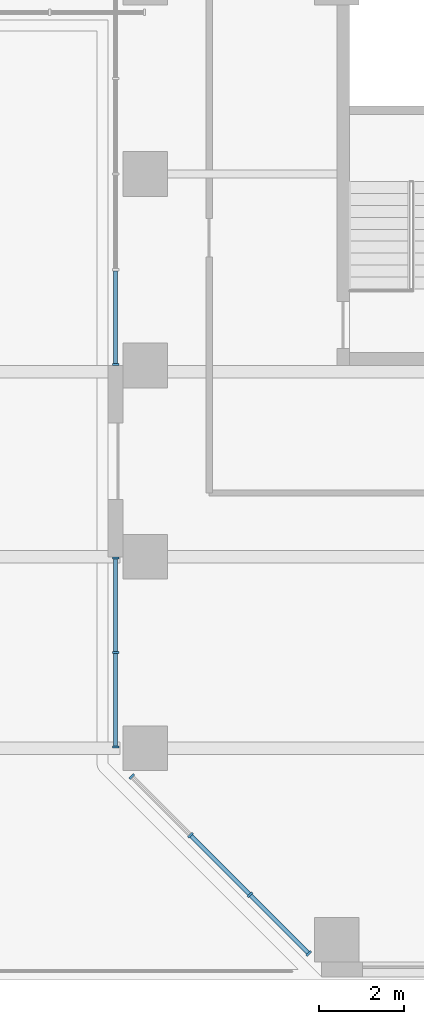
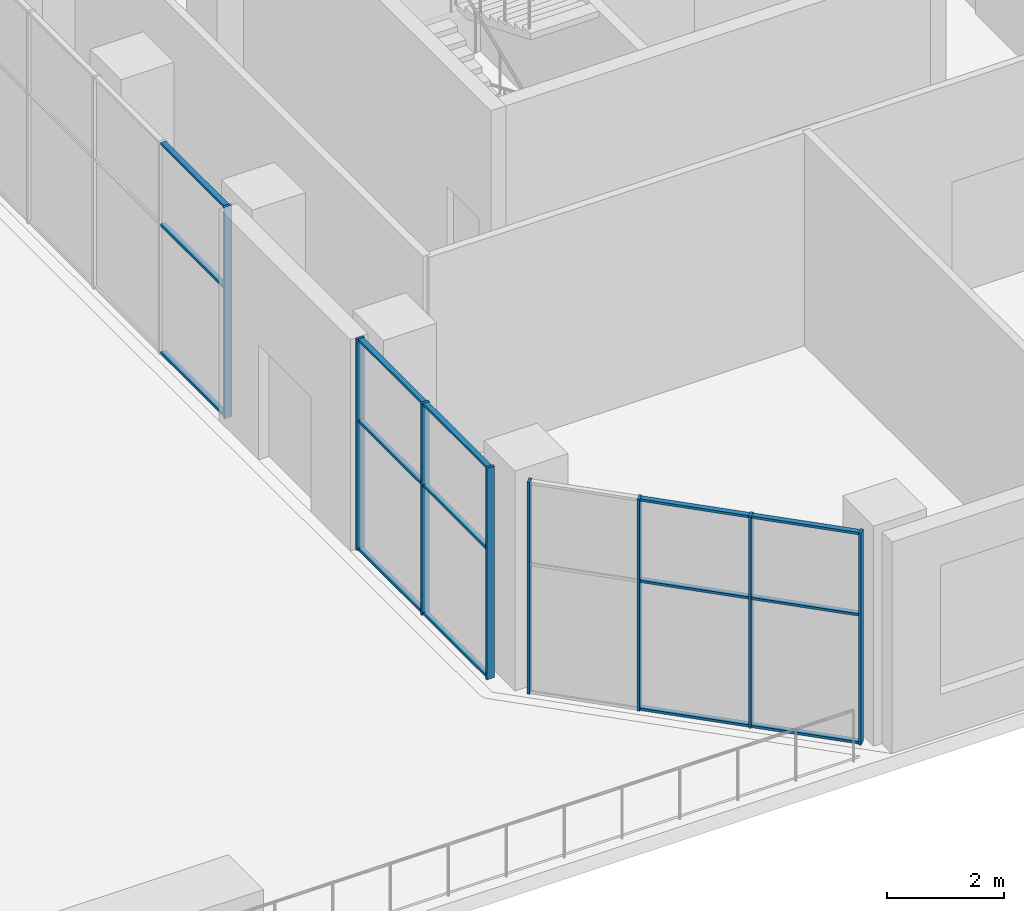
# One storey, part 2 of 14: 23 members, 3 elements without a shape of their own.
"""IFC4 building model written with IfcOpenShell, lengths in metres."""

from ifc_helpers import new_model, si_unit, direction, frame, origin, origin_2d, place, context, subcontext, project, spatial, rectangle, extrude, material, constituent, constituent_set, material_profile, profile_set, type_object, element, aggregate, save


model = new_model("IFC4")

# Units and contexts
model_context = context("Model", 3, precision=1e-05, world=origin(), true_north=direction((0.0, 1.0)))
body_context = subcontext(model_context, "Body", "Model", "MODEL_VIEW")
ifc_project = project(units=[si_unit("LENGTHUNIT", "METRE"), si_unit("AREAUNIT", "SQUARE_METRE"), si_unit("VOLUMEUNIT", "CUBIC_METRE"), si_unit("PLANEANGLEUNIT", "RADIAN"), si_unit("MASSUNIT", "GRAM", prefix="KILO")], contexts=[model_context])

# Site, building, storey
site_placement = place(None, origin())
site = spatial("IfcSite", under=ifc_project, at=site_placement, CompositionType="ELEMENT")
building_placement = place(site_placement, origin())
building = spatial("IfcBuilding", under=site, at=building_placement, Name="Quoin Convention Tower", CompositionType="ELEMENT")
storey_placement = place(building_placement, frame((0.0, 0.0, 74.300048828125)))
storey = spatial("IfcBuildingStorey", under=building, at=storey_placement, Name="L19", CompositionType="ELEMENT", Elevation=74.300048828125)

# Curtain wall, member
ifc_material_1 = material(Name="Aluminium", Category="aluminium")
ifc_constituent_1 = constituent(ifc_material_1, Name="Frame")
ifc_material_2 = material(Name="Insulated glass", Category="glass")
ifc_constituent_2 = constituent(ifc_material_2, Name="Glazing")
ifc_constituent_set = constituent_set(constituents=[ifc_constituent_1, ifc_constituent_2], Name="Aluminium")
curtain_wall_type = type_object("IfcCurtainWallType", Name="Sky lobby glazing system", PredefinedType="NOTDEFINED", material=ifc_constituent_set)
curtain_wall_1_placement = place(storey_placement, origin())
curtain_wall_1 = element("IfcCurtainWall", 1, at=curtain_wall_1_placement, inside=storey, type_object=curtain_wall_type, Name="cw-SKY-L19-35300_40500", PredefinedType="NOTDEFINED")
ifc_material_profile_1 = material_profile(ifc_material_1, rectangle(XDim=0.14990234375, YDim=0.050048828125, at=origin_2d()), Name="Sky lobby glazing mullion 50x150")
ifc_profile_set_1 = profile_set([ifc_material_profile_1], Name="Aluminium")
member_type_1 = type_object("IfcMemberType", Name="Sky lobby glazing mullion 50x150", PredefinedType="MULLION", material=ifc_profile_set_1)
member_1_placement = place(storey_placement, frame((35.300048828125, 31.52490234375, 0.0), z_axis=(0.0, 0.0, 1.0), x_axis=(1.0, 0.0, 0.0)))
member_1 = element("IfcMember", 2, at=member_1_placement, type_object=member_type_1, Name="CW3 mullion 5", PredefinedType="MULLION", context=body_context, shape_type="SweptSolid", body=[
    extrude(rectangle(XDim=0.14990234375, YDim=0.050048828125, at=origin_2d()), origin(), (0.0, 0.0, 1.0), 4.425048828125),
])

# Curtain wall, members
curtain_wall_2_placement = place(storey_placement, origin())
curtain_wall_2 = element("IfcCurtainWall", 3, at=curtain_wall_2_placement, inside=storey, type_object=curtain_wall_type, Name="cw-SKY-L19-35300_27000", PredefinedType="NOTDEFINED")
member_2_placement = place(storey_placement, frame((35.300048828125, 26.97509765625, 0.0), z_axis=(0.0, 0.0, 1.0), x_axis=(1.0, 0.0, 0.0)))
member_2 = element("IfcMember", 4, at=member_2_placement, type_object=member_type_1, Name="CW3 mullion 1", PredefinedType="MULLION", context=body_context, shape_type="SweptSolid", body=[
    extrude(rectangle(XDim=0.14990234375, YDim=0.050048828125, at=origin_2d()), origin(), (0.0, 0.0, 1.0), 4.425048828125),
])
member_3_placement = place(storey_placement, frame((35.300048828125, 24.75, 0.0), z_axis=(0.0, 0.0, 1.0), x_axis=(1.0, 0.0, 0.0)))
member_3 = element("IfcMember", 5, at=member_3_placement, type_object=member_type_1, Name="CW3 mullion 2", PredefinedType="MULLION", context=body_context, shape_type="SweptSolid", body=[
    extrude(rectangle(XDim=0.14990234375, YDim=0.050048828125, at=origin_2d()), origin(), (0.0, 0.0, 1.0), 4.425048828125),
])
member_4_placement = place(storey_placement, frame((35.300048828125, 22.52490234375, 0.0), z_axis=(0.0, 0.0, 1.0), x_axis=(1.0, 0.0, 0.0)))
member_4 = element("IfcMember", 6, at=member_4_placement, type_object=member_type_1, Name="CW3 mullion 3", PredefinedType="MULLION", context=body_context, shape_type="SweptSolid", body=[
    extrude(rectangle(XDim=0.14990234375, YDim=0.050048828125, at=origin_2d()), origin(), (0.0, 0.0, 1.0), 4.425048828125),
])

curtain_wall_3_placement = place(storey_placement, origin())
curtain_wall_3 = element("IfcCurtainWall", 7, at=curtain_wall_3_placement, inside=storey, type_object=curtain_wall_type, Name="cw-SKY-L19-35505_22005", PredefinedType="NOTDEFINED")
member_5_placement = place(storey_placement, frame((35.67822265625, 21.831787109375, 0.0), z_axis=(0.0, 0.0, 1.0), x_axis=(0.707115210816, 0.707098351457, 0.0)))
member_5 = element("IfcMember", 8, at=member_5_placement, type_object=member_type_1, Name="CW3 mullion 1", PredefinedType="MULLION", context=body_context, shape_type="SweptSolid", body=[
    extrude(rectangle(XDim=0.14990234375, YDim=0.050048828125, at=origin_2d()), origin(), (0.0, 0.0, 1.0), 4.425048828125),
])
member_6_placement = place(storey_placement, frame((37.05859375, 20.451416015625, 0.0), z_axis=(0.0, 0.0, 1.0), x_axis=(0.707115210816, 0.707098351457, 0.0)))
member_6 = element("IfcMember", 9, at=member_6_placement, type_object=member_type_1, Name="CW3 mullion 2", PredefinedType="MULLION", context=body_context, shape_type="SweptSolid", body=[
    extrude(rectangle(XDim=0.14990234375, YDim=0.050048828125, at=origin_2d()), origin(), (0.0, 0.0, 1.0), 4.425048828125),
])
member_7_placement = place(storey_placement, frame((38.456787109375, 19.053466796875, 0.0), z_axis=(0.0, 0.0, 1.0), x_axis=(0.707115210816, 0.707098351457, 0.0)))
member_7 = element("IfcMember", 10, at=member_7_placement, type_object=member_type_1, Name="CW3 mullion 3", PredefinedType="MULLION", context=body_context, shape_type="SweptSolid", body=[
    extrude(rectangle(XDim=0.14990234375, YDim=0.050048828125, at=origin_2d()), origin(), (0.0, 0.0, 1.0), 4.425048828125),
])
member_8_placement = place(storey_placement, frame((39.8369140625, 17.673095703125, 0.0), z_axis=(0.0, 0.0, 1.0), x_axis=(0.707115210816, 0.707098351457, 0.0)))
member_8 = element("IfcMember", 11, at=member_8_placement, type_object=member_type_1, Name="CW3 mullion 4", PredefinedType="MULLION", context=body_context, shape_type="SweptSolid", body=[
    extrude(rectangle(XDim=0.14990234375, YDim=0.050048828125, at=origin_2d()), origin(), (0.0, 0.0, 1.0), 4.425048828125),
])

# Member
ifc_material_profile_2 = material_profile(ifc_material_1, rectangle(XDim=0.10009765625, YDim=0.050048828125, at=origin_2d()), Name="Sky lobby glazing transom 50x100")
ifc_profile_set_2 = profile_set([ifc_material_profile_2], Name="Aluminium")
member_type_2 = type_object("IfcMemberType", Name="Sky lobby glazing transom 50x100", PredefinedType="USERDEFINED", material=ifc_profile_set_2)
member_9_placement = place(storey_placement, frame((35.300048828125, 33.72509765625, 0.02490234375), z_axis=(0.0, -1.0, 0.0), x_axis=(1.0, 0.0, 0.0)))
member_9 = element("IfcMember", 12, at=member_9_placement, type_object=member_type_2, Name="CW3 transom 4.1", ObjectType="TRANSOM", PredefinedType="USERDEFINED", context=body_context, shape_type="SweptSolid", body=[
    extrude(rectangle(XDim=0.10009765625, YDim=0.050048828125, at=origin_2d()), origin(), (0.0, 0.0, 1.0), 2.175048828125),
])

member_10_placement = place(storey_placement, frame((35.300048828125, 33.72509765625, 2.699951171875), z_axis=(0.0, -1.0, 0.0), x_axis=(1.0, 0.0, 0.0)))
member_10 = element("IfcMember", 13, at=member_10_placement, type_object=member_type_2, Name="CW3 transom 4.2", ObjectType="TRANSOM", PredefinedType="USERDEFINED", context=body_context, shape_type="SweptSolid", body=[
    extrude(rectangle(XDim=0.10009765625, YDim=0.050048828125, at=origin_2d()), origin(), (0.0, 0.0, 1.0), 2.175048828125),
])

member_11_placement = place(storey_placement, frame((35.300048828125, 33.72509765625, 4.39990234375), z_axis=(0.0, -1.0, 0.0), x_axis=(1.0, 0.0, 0.0)))
member_11 = element("IfcMember", 14, at=member_11_placement, type_object=member_type_2, Name="CW3 transom 4.3", ObjectType="TRANSOM", PredefinedType="USERDEFINED", context=body_context, shape_type="SweptSolid", body=[
    extrude(rectangle(XDim=0.10009765625, YDim=0.050048828125, at=origin_2d()), origin(), (0.0, 0.0, 1.0), 2.175048828125),
])

aggregate(curtain_wall_1, [member_1, member_9, member_10, member_11])

member_12_placement = place(storey_placement, frame((35.300048828125, 26.949951171875, 0.02490234375), z_axis=(0.0, -1.0, 0.0), x_axis=(1.0, 0.0, 0.0)))
member_12 = element("IfcMember", 15, at=member_12_placement, type_object=member_type_2, Name="CW3 transom 1.1", ObjectType="TRANSOM", PredefinedType="USERDEFINED", context=body_context, shape_type="SweptSolid", body=[
    extrude(rectangle(XDim=0.10009765625, YDim=0.050048828125, at=origin_2d()), origin(), (0.0, 0.0, 1.0), 2.175048828125),
])

member_13_placement = place(storey_placement, frame((35.300048828125, 26.949951171875, 2.699951171875), z_axis=(0.0, -1.0, 0.0), x_axis=(1.0, 0.0, 0.0)))
member_13 = element("IfcMember", 16, at=member_13_placement, type_object=member_type_2, Name="CW3 transom 1.2", ObjectType="TRANSOM", PredefinedType="USERDEFINED", context=body_context, shape_type="SweptSolid", body=[
    extrude(rectangle(XDim=0.10009765625, YDim=0.050048828125, at=origin_2d()), origin(), (0.0, 0.0, 1.0), 2.175048828125),
])

member_14_placement = place(storey_placement, frame((35.300048828125, 26.949951171875, 4.39990234375), z_axis=(0.0, -1.0, 0.0), x_axis=(1.0, 0.0, 0.0)))
member_14 = element("IfcMember", 17, at=member_14_placement, type_object=member_type_2, Name="CW3 transom 1.3", ObjectType="TRANSOM", PredefinedType="USERDEFINED", context=body_context, shape_type="SweptSolid", body=[
    extrude(rectangle(XDim=0.10009765625, YDim=0.050048828125, at=origin_2d()), origin(), (0.0, 0.0, 1.0), 2.175048828125),
])

member_15_placement = place(storey_placement, frame((35.300048828125, 24.72509765625, 0.02490234375), z_axis=(0.0, -1.0, 0.0), x_axis=(1.0, 0.0, 0.0)))
member_15 = element("IfcMember", 18, at=member_15_placement, type_object=member_type_2, Name="CW3 transom 2.1", ObjectType="TRANSOM", PredefinedType="USERDEFINED", context=body_context, shape_type="SweptSolid", body=[
    extrude(rectangle(XDim=0.10009765625, YDim=0.050048828125, at=origin_2d()), origin(), (0.0, 0.0, 1.0), 2.175048828125),
])

member_16_placement = place(storey_placement, frame((35.300048828125, 24.72509765625, 2.699951171875), z_axis=(0.0, -1.0, 0.0), x_axis=(1.0, 0.0, 0.0)))
member_16 = element("IfcMember", 19, at=member_16_placement, type_object=member_type_2, Name="CW3 transom 2.2", ObjectType="TRANSOM", PredefinedType="USERDEFINED", context=body_context, shape_type="SweptSolid", body=[
    extrude(rectangle(XDim=0.10009765625, YDim=0.050048828125, at=origin_2d()), origin(), (0.0, 0.0, 1.0), 2.175048828125),
])

member_17_placement = place(storey_placement, frame((35.300048828125, 24.72509765625, 4.39990234375), z_axis=(0.0, -1.0, 0.0), x_axis=(1.0, 0.0, 0.0)))
member_17 = element("IfcMember", 20, at=member_17_placement, type_object=member_type_2, Name="CW3 transom 2.3", ObjectType="TRANSOM", PredefinedType="USERDEFINED", context=body_context, shape_type="SweptSolid", body=[
    extrude(rectangle(XDim=0.10009765625, YDim=0.050048828125, at=origin_2d()), origin(), (0.0, 0.0, 1.0), 2.175048828125),
])

aggregate(curtain_wall_2, [member_2, member_3, member_4, member_12, member_13, member_14, member_15, member_16, member_17])

member_18_placement = place(storey_placement, frame((37.076416015625, 20.433837890625, 0.02490234375), z_axis=(0.707043434555, -0.707170122144, 0.0), x_axis=(0.707170122144, 0.707043434555, 0.0)))
member_18 = element("IfcMember", 21, at=member_18_placement, type_object=member_type_2, Name="CW3 transom 2.1", ObjectType="TRANSOM", PredefinedType="USERDEFINED", context=body_context, shape_type="SweptSolid", body=[
    extrude(rectangle(XDim=0.10009765625, YDim=0.050048828125, at=origin_2d()), origin(), (0.0, 0.0, 1.0), 1.927001953125),
])

member_19_placement = place(storey_placement, frame((37.076416015625, 20.433837890625, 2.699951171875), z_axis=(0.707043434555, -0.707170122144, 0.0), x_axis=(0.707170122144, 0.707043434555, 0.0)))
member_19 = element("IfcMember", 22, at=member_19_placement, type_object=member_type_2, Name="CW3 transom 2.2", ObjectType="TRANSOM", PredefinedType="USERDEFINED", context=body_context, shape_type="SweptSolid", body=[
    extrude(rectangle(XDim=0.10009765625, YDim=0.050048828125, at=origin_2d()), origin(), (0.0, 0.0, 1.0), 1.927001953125),
])

member_20_placement = place(storey_placement, frame((37.076416015625, 20.433837890625, 4.39990234375), z_axis=(0.707043434555, -0.707170122144, 0.0), x_axis=(0.707170122144, 0.707043434555, 0.0)))
member_20 = element("IfcMember", 23, at=member_20_placement, type_object=member_type_2, Name="CW3 transom 2.3", ObjectType="TRANSOM", PredefinedType="USERDEFINED", context=body_context, shape_type="SweptSolid", body=[
    extrude(rectangle(XDim=0.10009765625, YDim=0.050048828125, at=origin_2d()), origin(), (0.0, 0.0, 1.0), 1.927001953125),
])

member_21_placement = place(storey_placement, frame((38.474365234375, 19.03564453125, 0.02490234375), z_axis=(0.707106781187, -0.707106781187, 0.0), x_axis=(0.707106781187, 0.707106781187, 0.0)))
member_21 = element("IfcMember", 24, at=member_21_placement, type_object=member_type_2, Name="CW3 transom 3.1", ObjectType="TRANSOM", PredefinedType="USERDEFINED", context=body_context, shape_type="SweptSolid", body=[
    extrude(rectangle(XDim=0.10009765625, YDim=0.050048828125, at=origin_2d()), origin(), (0.0, 0.0, 1.0), 1.902099609375),
])

member_22_placement = place(storey_placement, frame((38.474365234375, 19.03564453125, 2.699951171875), z_axis=(0.707106781187, -0.707106781187, 0.0), x_axis=(0.707106781187, 0.707106781187, 0.0)))
member_22 = element("IfcMember", 25, at=member_22_placement, type_object=member_type_2, Name="CW3 transom 3.2", ObjectType="TRANSOM", PredefinedType="USERDEFINED", context=body_context, shape_type="SweptSolid", body=[
    extrude(rectangle(XDim=0.10009765625, YDim=0.050048828125, at=origin_2d()), origin(), (0.0, 0.0, 1.0), 1.902099609375),
])

member_23_placement = place(storey_placement, frame((38.474365234375, 19.03564453125, 4.39990234375), z_axis=(0.707106781187, -0.707106781187, 0.0), x_axis=(0.707106781187, 0.707106781187, 0.0)))
member_23 = element("IfcMember", 26, at=member_23_placement, type_object=member_type_2, Name="CW3 transom 3.3", ObjectType="TRANSOM", PredefinedType="USERDEFINED", context=body_context, shape_type="SweptSolid", body=[
    extrude(rectangle(XDim=0.10009765625, YDim=0.050048828125, at=origin_2d()), origin(), (0.0, 0.0, 1.0), 1.902099609375),
])

aggregate(curtain_wall_3, [member_5, member_6, member_7, member_8, member_18, member_19, member_20, member_21, member_22, member_23])

save(model, "model.ifc")
